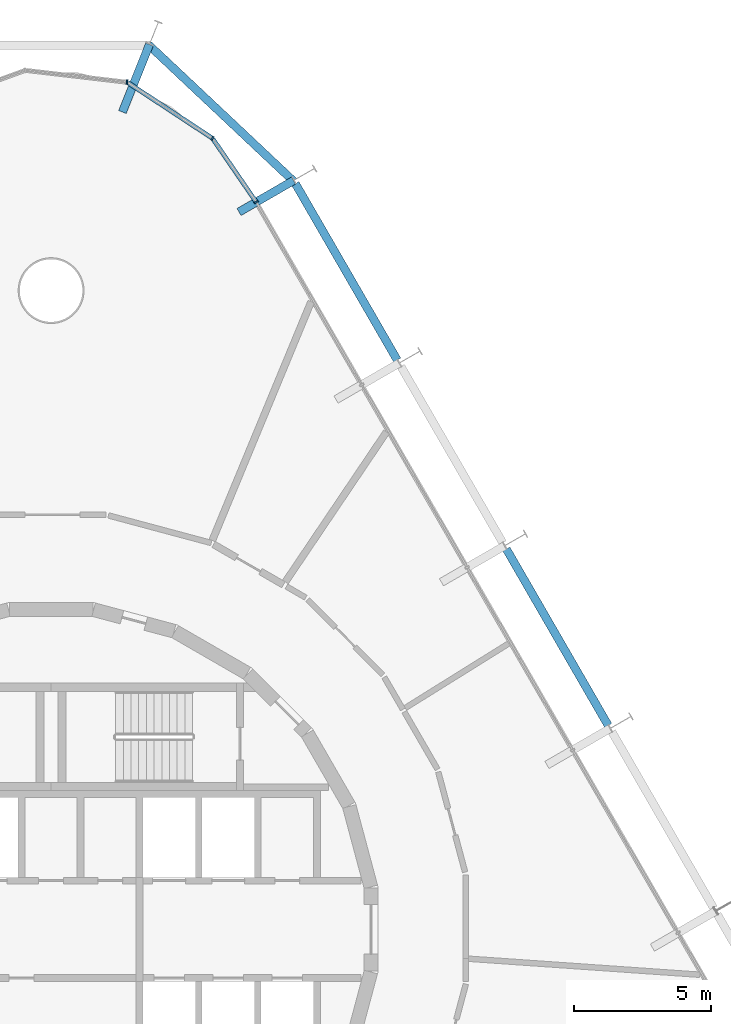
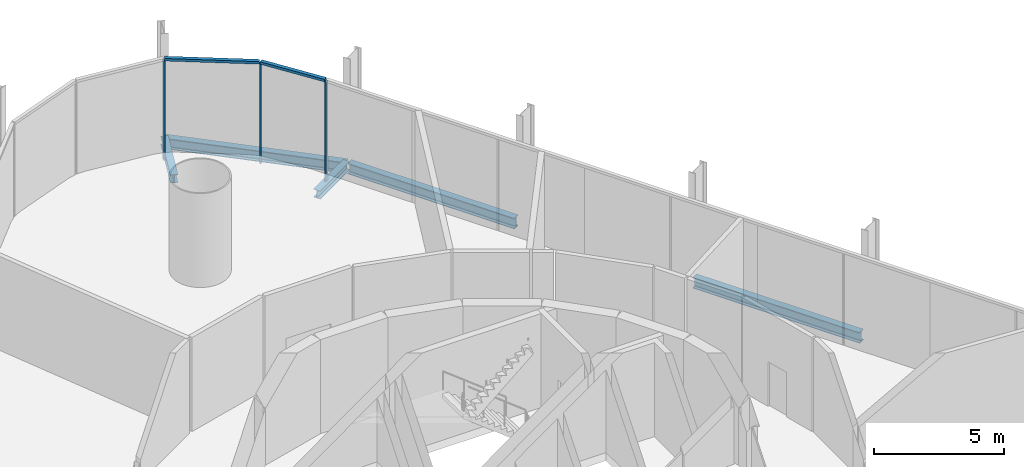
# One storey, part 11 of 17: 5 beams, 5 members, 1 element without a shape of its own.
"""IFC4 building model written with IfcOpenShell, lengths in metres."""

from ifc_helpers import new_model, si_unit, direction, frame, origin, origin_2d, place, context, subcontext, project, spatial, rectangle, i_section, extrude, material, layer, layer_set, material_profile, profile_set, type_object, element, aggregate, save


model = new_model("IFC4")

# Units and contexts
model_context = context("Model", 3, precision=1e-05, world=origin(), true_north=direction((0.0, 1.0)))
body_context = subcontext(model_context, "Body", "Model", "MODEL_VIEW")
ifc_project = project(units=[si_unit("LENGTHUNIT", "METRE"), si_unit("AREAUNIT", "SQUARE_METRE"), si_unit("VOLUMEUNIT", "CUBIC_METRE"), si_unit("PLANEANGLEUNIT", "RADIAN"), si_unit("MASSUNIT", "GRAM", prefix="KILO")], contexts=[model_context])

# Site, building, storey
site_placement = place(None, origin())
site = spatial("IfcSite", under=ifc_project, at=site_placement, CompositionType="ELEMENT")
building_placement = place(site_placement, origin())
building = spatial("IfcBuilding", under=site, at=building_placement, Name="Spindle Arch Residences", CompositionType="ELEMENT")
storey_placement = place(building_placement, frame((0.0, 0.0, 13.800048828125)))
storey = spatial("IfcBuildingStorey", under=building, at=storey_placement, Name="L02", CompositionType="ELEMENT", Elevation=13.800048828125)

# Curtain wall, members
ifc_material_1 = material(Name="Aluminium bronze unitised frame with tinted glass", Category="aluminium")
ifc_layer = layer(ifc_material_1, 0.159912109375)
ifc_layer_set = layer_set([ifc_layer], Name="CW-D corner wall on the fillet arcs")
curtain_wall_type = type_object("IfcCurtainWallType", Name="CW-D corner wall on the fillet arcs", PredefinedType="NOTDEFINED", material=ifc_layer_set)
curtain_wall_placement = place(storey_placement, origin())
curtain_wall = element("IfcCurtainWall", 1, at=curtain_wall_placement, inside=storey, type_object=curtain_wall_type, Name="CW-D L02 run 3", PredefinedType="NOTDEFINED")
ifc_material_2 = material(Name="Aluminium bronze anodised mullion", Category="aluminium")
ifc_material_profile_1 = material_profile(ifc_material_2, rectangle(XDim=0.159912109375, YDim=0.06005859375, at=origin_2d()), Name="MU 60x160")
ifc_profile_set_1 = profile_set([ifc_material_profile_1], Name="Aluminium bronze anodised mullion")
member_type_1 = type_object("IfcMemberType", Name="Bronze mullion 60x160", PredefinedType="MULLION", material=ifc_profile_set_1)
member_1_placement = place(storey_placement, frame((7.46923828125, 26.48291015625, -0.380126953125), z_axis=(0.0, 0.0, 1.0), x_axis=(-0.824747802142, -0.565500718711, 0.0)))
member_1 = element("IfcMember", 2, at=member_1_placement, type_object=member_type_1, Name="CW-D mullion 00", PredefinedType="MULLION", context=body_context, shape_type="SweptSolid", body=[
    extrude(rectangle(XDim=0.159912109375, YDim=0.06005859375, at=origin_2d()), origin(), (0.0, 0.0, 1.0), 4.68017578125),
])
member_2_placement = place(storey_placement, frame((5.877197265625, 28.8046875, -0.380126953125), z_axis=(0.0, 0.0, 1.0), x_axis=(-0.549508977628, -0.835487811704, 0.0)))
member_2 = element("IfcMember", 3, at=member_2_placement, type_object=member_type_1, Name="CW-D mullion 01", PredefinedType="MULLION", context=body_context, shape_type="SweptSolid", body=[
    extrude(rectangle(XDim=0.159912109375, YDim=0.06005859375, at=origin_2d()), origin(), (0.0, 0.0, 1.0), 4.68017578125),
])
member_3_placement = place(storey_placement, frame((2.763427734375, 30.8525390625, -0.380126953125), z_axis=(0.0, 0.0, 1.0), x_axis=(-0.116092915414, -0.993238357591, 0.0)))
member_3 = element("IfcMember", 4, at=member_3_placement, type_object=member_type_1, Name="CW-D mullion 02", PredefinedType="MULLION", context=body_context, shape_type="SweptSolid", body=[
    extrude(rectangle(XDim=0.159912109375, YDim=0.06005859375, at=origin_2d()), origin(), (0.0, 0.0, 1.0), 4.68017578125),
])
ifc_material_3 = material(Name="Aluminium bronze anodised transom", Category="aluminium")
ifc_material_profile_2 = material_profile(ifc_material_3, rectangle(XDim=0.159912109375, YDim=0.1201171875, at=origin_2d()), Name="TR 120x160")
ifc_profile_set_2 = profile_set([ifc_material_profile_2], Name="Aluminium bronze anodised transom")
member_type_2 = type_object("IfcMemberType", Name="Bronze transom 120x160", PredefinedType="USERDEFINED", material=ifc_profile_set_2)
member_4_placement = place(storey_placement, frame((7.4521484375, 26.507568359375, 4.35986328125), z_axis=(-0.565490471855, 0.824754827958, 0.0), x_axis=(-0.824754827958, -0.565490471855, 0.0)))
member_4 = element("IfcMember", 5, at=member_4_placement, type_object=member_type_2, Name="CW-D transom 00", ObjectType="TRANSOM", PredefinedType="USERDEFINED", context=body_context, shape_type="SweptSolid", body=[
    extrude(rectangle(XDim=0.159912109375, YDim=0.1201171875, at=origin_2d()), origin(), (0.0, 0.0, 1.0), 2.75537109375),
])
member_5_placement = place(storey_placement, frame((5.85205078125, 28.821044921875, 4.35986328125), z_axis=(-0.835486265536, 0.549511328456, 0.0), x_axis=(-0.549511328456, -0.835486265536, 0.0)))
member_5 = element("IfcMember", 6, at=member_5_placement, type_object=member_type_2, Name="CW-D transom 01", ObjectType="TRANSOM", PredefinedType="USERDEFINED", context=body_context, shape_type="SweptSolid", body=[
    extrude(rectangle(XDim=0.159912109375, YDim=0.1201171875, at=origin_2d()), origin(), (0.0, 0.0, 1.0), 3.666748046875),
])
aggregate(curtain_wall, [member_1, member_4, member_2, member_5, member_3])

# Beams
ifc_material_4 = material(Name="Steel S460ML, intumescent coating R 120", Category="steel")
ifc_material_profile_3 = material_profile(ifc_material_4, i_section(OverallWidth=0.300048828125, OverallDepth=0.5, WebThickness=0.014404296875, FlangeThickness=0.028076171875, FilletRadius=0.027099609375, at=origin_2d()), Name="HEB 500")
ifc_profile_set_3 = profile_set([ifc_material_profile_3], Name="Steel S460ML, intumescent coating R 120")
beam_type_1 = type_object("IfcBeamType", Name="Exoskeleton edge beam HEB 500", PredefinedType="BEAM", material=ifc_profile_set_3)
beam_1_placement = place(storey_placement, frame((20.283935546875, 7.427001953125, -0.630126953125), z_axis=(-0.500003477455, 0.866023396066, 0.0), x_axis=(-0.866023396066, -0.500003477455, 0.0)))
element("IfcBeam", 7, at=beam_1_placement, inside=storey, type_object=beam_type_1, Name="Exoskeleton edge beam 8", PredefinedType="BEAM", context=body_context, shape_type="SweptSolid", body=[
    extrude(i_section(OverallWidth=0.300048828125, OverallDepth=0.5, WebThickness=0.014404296875, FlangeThickness=0.028076171875, FilletRadius=0.027099609375, at=origin_2d()), origin(), (0.0, 0.0, 1.0), 7.419921875),
])
beam_2_placement = place(storey_placement, frame((12.60400390625, 20.729248046875, -0.630126953125), z_axis=(-0.5000139068, 0.866017374541, 0.0), x_axis=(-0.866017374541, -0.5000139068, 0.0)))
element("IfcBeam", 8, at=beam_2_placement, inside=storey, type_object=beam_type_1, Name="Exoskeleton edge beam 10", PredefinedType="BEAM", context=body_context, shape_type="SweptSolid", body=[
    extrude(i_section(OverallWidth=0.300048828125, OverallDepth=0.5, WebThickness=0.014404296875, FlangeThickness=0.028076171875, FilletRadius=0.027099609375, at=origin_2d()), origin(), (0.0, 0.0, 1.0), 7.420166015625),
])
beam_3_placement = place(storey_placement, frame((8.829345703125, 27.24169921875, -0.630126953125), z_axis=(-0.728377909202, 0.685175613538, 0.0), x_axis=(-0.685175613538, -0.728377909202, 0.0)))
element("IfcBeam", 9, at=beam_3_placement, inside=storey, type_object=beam_type_1, Name="Exoskeleton edge beam 11", PredefinedType="BEAM", context=body_context, shape_type="SweptSolid", body=[
    extrude(i_section(OverallWidth=0.300048828125, OverallDepth=0.5, WebThickness=0.014404296875, FlangeThickness=0.028076171875, FilletRadius=0.027099609375, at=origin_2d()), origin(), (0.0, 0.0, 1.0), 7.250244140625),
])
ifc_material_5 = material(Name="Steel S460ML, intumescent coating R 120", Category="steel")
ifc_material_profile_4 = material_profile(ifc_material_5, i_section(OverallWidth=0.300048828125, OverallDepth=0.389892578125, WebThickness=0.010986328125, FlangeThickness=0.01904296875, FilletRadius=0.027099609375, at=origin_2d()), Name="HEA 400")
ifc_profile_set_4 = profile_set([ifc_material_profile_4], Name="Steel S460ML, intumescent coating R 120")
beam_type_2 = type_object("IfcBeamType", Name="Floor outrigger HEA 400", PredefinedType="BEAM", material=ifc_profile_set_4)
beam_4_placement = place(storey_placement, frame((8.828857421875, 27.267822265625, -0.574951171875), z_axis=(-0.866020755578, -0.500008050843, 0.0), x_axis=(0.500008050843, -0.866020755578, 0.0)))
element("IfcBeam", 10, at=beam_4_placement, inside=storey, type_object=beam_type_2, Name="Floor outrigger 11", PredefinedType="BEAM", context=body_context, shape_type="SweptSolid", body=[
    extrude(i_section(OverallWidth=0.300048828125, OverallDepth=0.389892578125, WebThickness=0.010986328125, FlangeThickness=0.01904296875, FilletRadius=0.027099609375, at=origin_2d()), origin(), (0.0, 0.0, 1.0), 2.2939453125),
])
beam_5_placement = place(storey_placement, frame((3.581298828125, 32.220703125, -0.574951171875), z_axis=(-0.371104734129, -0.928591016706, 0.0), x_axis=(0.928591016706, -0.371104734129, 0.0)))
element("IfcBeam", 11, at=beam_5_placement, inside=storey, type_object=beam_type_2, Name="Floor outrigger 12", PredefinedType="BEAM", context=body_context, shape_type="SweptSolid", body=[
    extrude(i_section(OverallWidth=0.300048828125, OverallDepth=0.389892578125, WebThickness=0.010986328125, FlangeThickness=0.01904296875, FilletRadius=0.027099609375, at=origin_2d()), origin(), (0.0, 0.0, 1.0), 2.64990234375),
])

save(model, "model.ifc")
